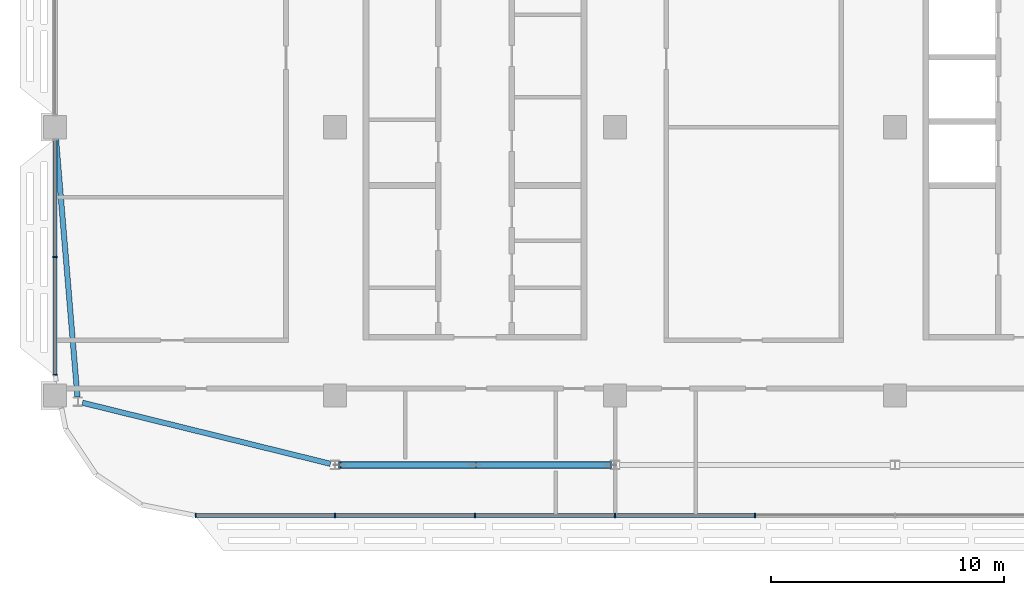
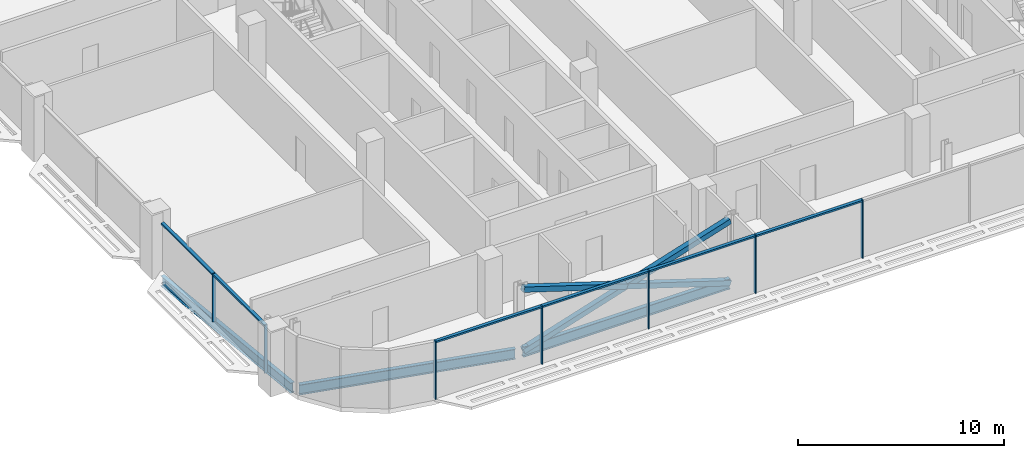
# One storey, part 5 of 32: 16 members, 3 beams, 2 elements without a shape of their own.
"""IFC4 building model written with IfcOpenShell, lengths in metres."""

from ifc_helpers import new_model, si_unit, direction, frame, origin, origin_2d, place, context, subcontext, project, spatial, rectangle, hollow_rectangle, i_section, extrude, material, material_profile, profile_set, type_object, element, aggregate, save


model = new_model("IFC4")

# Units and contexts
model_context = context("Model", 3, precision=1e-05, world=origin(), true_north=direction((0.0, 1.0)))
body_context = subcontext(model_context, "Body", "Model", "MODEL_VIEW")
ifc_project = project(units=[si_unit("LENGTHUNIT", "METRE"), si_unit("AREAUNIT", "SQUARE_METRE"), si_unit("VOLUMEUNIT", "CUBIC_METRE"), si_unit("PLANEANGLEUNIT", "RADIAN"), si_unit("MASSUNIT", "GRAM", prefix="KILO")], contexts=[model_context])

# Site, building, storey
site_placement = place(None, origin())
site = spatial("IfcSite", under=ifc_project, at=site_placement, CompositionType="ELEMENT")
building_placement = place(site_placement, origin())
building = spatial("IfcBuilding", under=site, at=building_placement, Name="Mahtab Terrace Research Tower", CompositionType="ELEMENT")
storey_placement = place(building_placement, frame((0.0, 0.0, 232.39990234375)))
storey = spatial("IfcBuildingStorey", under=building, at=storey_placement, Name="L56", CompositionType="ELEMENT", Elevation=232.39990234375)

# Members
ifc_material_1 = material(Name="Steel ASTM A500 Gr C", Category="steel")
ifc_material_profile_1 = material_profile(ifc_material_1, hollow_rectangle(XDim=0.3046875, YDim=0.3046875, WallThickness=0.015869140625, at=origin_2d()), Name="HSS12X12X5/8")
ifc_profile_set_1 = profile_set([ifc_material_profile_1], Name="Steel ASTM A500 Gr C")
member_type_1 = type_object("IfcMemberType", Name="HSS 12x12x5/8 brace XB121258", PredefinedType="BRACE", material=ifc_profile_set_1)
member_1_placement = place(storey_placement, frame((-29.800537109375, -14.472900390625, -0.580322265625), z_axis=(0.953338568311, 0.0, 0.301903252998), x_axis=(0.0, 1.0, 0.0)))
element("IfcMember", 1, at=member_1_placement, inside=storey, type_object=member_type_1, Name="Exoskeleton brace L56 13 a", PredefinedType="BRACE", context=body_context, shape_type="SweptSolid", body=[
    extrude(hollow_rectangle(XDim=0.3046875, YDim=0.3046875, WallThickness=0.015869140625, at=origin_2d()), origin(), (0.0, 0.0, 1.0), 12.1689453125),
])
for number, where, z_axis, x_axis, name in (
    (2, (-18.199462890625, -14.472900390625, -0.580322265625), (-0.953338568311, 0.0, 0.301903252998), (0.0, -1.0, 0.0), "Exoskeleton brace L56 13 b1"),
    (3, (-24.0, -14.472900390625, 1.256591796875), (-0.953338568311, 0.0, 0.301903252998), (0.0, -1.0, 0.0), "Exoskeleton brace L56 13 b2"),
):
    element("IfcMember", number, at=place(storey_placement, frame(where, z_axis=z_axis, x_axis=x_axis)), inside=storey, type_object=member_type_1, Name=name, PredefinedType="BRACE", context=body_context, shape_type="SweptSolid", body=[
        extrude(hollow_rectangle(XDim=0.3046875, YDim=0.3046875, WallThickness=0.015869140625, at=origin_2d()), origin(), (0.0, 0.0, 1.0), 6.08447265625),
    ])

# Curtain wall, members
ifc_material_2 = material(Name="Office ribbon curtain wall")
curtain_wall_type = type_object("IfcCurtainWallType", Name="Office ribbon curtain wall", PredefinedType="NOTDEFINED", material=ifc_material_2)
curtain_wall_1_placement = place(storey_placement, origin())
curtain_wall_1 = element("IfcCurtainWall", 4, at=curtain_wall_1_placement, inside=storey, type_object=curtain_wall_type, Name="EN.L56.8.10", PredefinedType="NOTDEFINED")
ifc_material_3 = material(Name="Natural anodised aluminium", Category="aluminium")
ifc_material_profile_2 = material_profile(ifc_material_3, rectangle(XDim=0.179931640625, YDim=0.06005859375, at=origin_2d()), Name="MULLION 60x180")
ifc_profile_set_2 = profile_set([ifc_material_profile_2], Name="Natural anodised aluminium")
member_type_2 = type_object("IfcMemberType", Name="Office ribbon curtain wall mullion", PredefinedType="MULLION", material=ifc_profile_set_2)
member_2_placement = place(storey_placement, frame((-42.0, -5.569580078125, 0.0), z_axis=(0.0, 0.0, 1.0), x_axis=(1.0, 0.0, 0.0)))
member_2 = element("IfcMember", 5, at=member_2_placement, type_object=member_type_2, Name="CWO-7 mullion 2", PredefinedType="MULLION", context=body_context, shape_type="SweptSolid", body=[
    extrude(rectangle(XDim=0.179931640625, YDim=0.06005859375, at=origin_2d()), origin(), (0.0, 0.0, 1.0), 2.85302734375),
])
member_3_placement = place(storey_placement, frame((-42.0, -10.60888671875, 0.0), z_axis=(0.0, 0.0, 1.0), x_axis=(1.0, 0.0, 0.0)))
member_3 = element("IfcMember", 6, at=member_3_placement, type_object=member_type_2, Name="CWO-7 mullion 3", PredefinedType="MULLION", context=body_context, shape_type="SweptSolid", body=[
    extrude(rectangle(XDim=0.179931640625, YDim=0.06005859375, at=origin_2d()), origin(), (0.0, 0.0, 1.0), 2.85302734375),
])

curtain_wall_2_placement = place(storey_placement, origin())
curtain_wall_2 = element("IfcCurtainWall", 7, at=curtain_wall_2_placement, inside=storey, type_object=curtain_wall_type, Name="EN.L56.13.16", PredefinedType="NOTDEFINED")
member_4_placement = place(storey_placement, frame((-35.969970703125, -16.638916015625, 0.0), z_axis=(0.0, 0.0, 1.0), x_axis=(0.0, 1.0, 0.0)))
member_4 = element("IfcMember", 8, at=member_4_placement, type_object=member_type_2, Name="CWO-7 mullion 1", PredefinedType="MULLION", context=body_context, shape_type="SweptSolid", body=[
    extrude(rectangle(XDim=0.179931640625, YDim=0.06005859375, at=origin_2d()), origin(), (0.0, 0.0, 1.0), 3.460205078125),
])
member_5_placement = place(storey_placement, frame((-30.0, -16.638916015625, 0.0), z_axis=(0.0, 0.0, 1.0), x_axis=(0.0, 1.0, 0.0)))
member_5 = element("IfcMember", 9, at=member_5_placement, type_object=member_type_2, Name="CWO-7 mullion 2", PredefinedType="MULLION", context=body_context, shape_type="SweptSolid", body=[
    extrude(rectangle(XDim=0.179931640625, YDim=0.06005859375, at=origin_2d()), origin(), (0.0, 0.0, 1.0), 3.460205078125),
])
member_6_placement = place(storey_placement, frame((-24.0, -16.638916015625, 0.0), z_axis=(0.0, 0.0, 1.0), x_axis=(0.0, 1.0, 0.0)))
member_6 = element("IfcMember", 10, at=member_6_placement, type_object=member_type_2, Name="CWO-7 mullion 3", PredefinedType="MULLION", context=body_context, shape_type="SweptSolid", body=[
    extrude(rectangle(XDim=0.179931640625, YDim=0.06005859375, at=origin_2d()), origin(), (0.0, 0.0, 1.0), 3.460205078125),
])
member_7_placement = place(storey_placement, frame((-18.0, -16.638916015625, 0.0), z_axis=(0.0, 0.0, 1.0), x_axis=(0.0, 1.0, 0.0)))
member_7 = element("IfcMember", 11, at=member_7_placement, type_object=member_type_2, Name="CWO-7 mullion 4", PredefinedType="MULLION", context=body_context, shape_type="SweptSolid", body=[
    extrude(rectangle(XDim=0.179931640625, YDim=0.06005859375, at=origin_2d()), origin(), (0.0, 0.0, 1.0), 3.460205078125),
])
member_8_placement = place(storey_placement, frame((-12.0, -16.638916015625, 0.0), z_axis=(0.0, 0.0, 1.0), x_axis=(0.0, 1.0, 0.0)))
member_8 = element("IfcMember", 12, at=member_8_placement, type_object=member_type_2, Name="CWO-7 mullion 5", PredefinedType="MULLION", context=body_context, shape_type="SweptSolid", body=[
    extrude(rectangle(XDim=0.179931640625, YDim=0.06005859375, at=origin_2d()), origin(), (0.0, 0.0, 1.0), 3.460205078125),
])

# Member
ifc_material_profile_3 = material_profile(ifc_material_3, rectangle(XDim=0.179931640625, YDim=0.10009765625, at=origin_2d()), Name="TRANSOM 100x180")
ifc_profile_set_3 = profile_set([ifc_material_profile_3], Name="Natural anodised aluminium")
member_type_3 = type_object("IfcMemberType", Name="Office ribbon curtain wall transom", PredefinedType="USERDEFINED", material=ifc_profile_set_3)
member_9_placement = place(storey_placement, frame((-42.0, -0.56005859375, 2.802978515625), z_axis=(0.0, -1.0, 0.0), x_axis=(1.0, 0.0, 0.0)))
member_9 = element("IfcMember", 13, at=member_9_placement, type_object=member_type_3, Name="CWO-7 transom 1", ObjectType="TRANSOM", PredefinedType="USERDEFINED", context=body_context, shape_type="SweptSolid", body=[
    extrude(rectangle(XDim=0.179931640625, YDim=0.10009765625, at=origin_2d()), origin(), (0.0, 0.0, 1.0), 4.9794921875),
])

member_10_placement = place(storey_placement, frame((-42.0, -5.599609375, 2.802978515625), z_axis=(0.0, -1.0, 0.0), x_axis=(1.0, 0.0, 0.0)))
member_10 = element("IfcMember", 14, at=member_10_placement, type_object=member_type_3, Name="CWO-7 transom 2", ObjectType="TRANSOM", PredefinedType="USERDEFINED", context=body_context, shape_type="SweptSolid", body=[
    extrude(rectangle(XDim=0.179931640625, YDim=0.10009765625, at=origin_2d()), origin(), (0.0, 0.0, 1.0), 4.9794921875),
])

aggregate(curtain_wall_1, [member_2, member_3, member_9, member_10])

member_11_placement = place(storey_placement, frame((-35.93994140625, -16.638916015625, 3.41015625), z_axis=(1.0, 0.0, 0.0), x_axis=(0.0, 1.0, 0.0)))
member_11 = element("IfcMember", 15, at=member_11_placement, type_object=member_type_3, Name="CWO-7 transom 1", ObjectType="TRANSOM", PredefinedType="USERDEFINED", context=body_context, shape_type="SweptSolid", body=[
    extrude(rectangle(XDim=0.179931640625, YDim=0.10009765625, at=origin_2d()), origin(), (0.0, 0.0, 1.0), 5.909912109375),
])

member_12_placement = place(storey_placement, frame((-29.969970703125, -16.638916015625, 3.41015625), z_axis=(1.0, 0.0, 0.0), x_axis=(0.0, 1.0, 0.0)))
member_12 = element("IfcMember", 16, at=member_12_placement, type_object=member_type_3, Name="CWO-7 transom 2", ObjectType="TRANSOM", PredefinedType="USERDEFINED", context=body_context, shape_type="SweptSolid", body=[
    extrude(rectangle(XDim=0.179931640625, YDim=0.10009765625, at=origin_2d()), origin(), (0.0, 0.0, 1.0), 5.93994140625),
])

member_13_placement = place(storey_placement, frame((-23.969970703125, -16.638916015625, 3.41015625), z_axis=(1.0, 0.0, 0.0), x_axis=(0.0, 1.0, 0.0)))
member_13 = element("IfcMember", 17, at=member_13_placement, type_object=member_type_3, Name="CWO-7 transom 3", ObjectType="TRANSOM", PredefinedType="USERDEFINED", context=body_context, shape_type="SweptSolid", body=[
    extrude(rectangle(XDim=0.179931640625, YDim=0.10009765625, at=origin_2d()), origin(), (0.0, 0.0, 1.0), 5.93994140625),
])

member_14_placement = place(storey_placement, frame((-17.969970703125, -16.638916015625, 3.41015625), z_axis=(1.0, 0.0, 0.0), x_axis=(0.0, 1.0, 0.0)))
member_14 = element("IfcMember", 18, at=member_14_placement, type_object=member_type_3, Name="CWO-7 transom 4", ObjectType="TRANSOM", PredefinedType="USERDEFINED", context=body_context, shape_type="SweptSolid", body=[
    extrude(rectangle(XDim=0.179931640625, YDim=0.10009765625, at=origin_2d()), origin(), (0.0, 0.0, 1.0), 5.93994140625),
])

aggregate(curtain_wall_2, [member_4, member_5, member_6, member_7, member_8, member_11, member_12, member_13, member_14])

# Beams
ifc_material_4 = material(Name="Steel ASTM A992 Gr 50", Category="steel")
ifc_material_profile_4 = material_profile(ifc_material_4, i_section(OverallWidth=0.228271484375, OverallDepth=0.607177734375, WebThickness=0.01123046875, FlangeThickness=0.017333984375, at=origin_2d()), Name="W24X76")
ifc_profile_set_4 = profile_set([ifc_material_profile_4], Name="Steel ASTM A992 Gr 50")
beam_type = type_object("IfcBeamType", Name="W24x76 beam BS2476", PredefinedType="BEAM", material=ifc_profile_set_4)
beam_1_placement = place(storey_placement, frame((-41.958251953125, -0.5, -0.6435546875), z_axis=(0.082961772462, -0.996552730321, 0.0), x_axis=(0.996552730321, 0.082961772462, 0.0)))
element("IfcBeam", 19, at=beam_1_placement, inside=storey, type_object=beam_type, Name="Spandrel beam L56 11", PredefinedType="BEAM", context=body_context, shape_type="SweptSolid", body=[
    extrude(i_section(OverallWidth=0.228271484375, OverallDepth=0.607177734375, WebThickness=0.01123046875, FlangeThickness=0.017333984375, at=origin_2d()), origin(), (0.0, 0.0, 1.0), 11.103271484375),
])
beam_2_placement = place(storey_placement, frame((-40.821533203125, -11.80712890625, -0.6435546875), z_axis=(0.970971673225, -0.239194502014, 0.0), x_axis=(0.239194502014, 0.970971673225, 0.0)))
element("IfcBeam", 20, at=beam_2_placement, inside=storey, type_object=beam_type, Name="Spandrel beam L56 12", PredefinedType="BEAM", context=body_context, shape_type="SweptSolid", body=[
    extrude(i_section(OverallWidth=0.228271484375, OverallDepth=0.607177734375, WebThickness=0.01123046875, FlangeThickness=0.017333984375, at=origin_2d()), origin(), (0.0, 0.0, 1.0), 10.939697265625),
])
beam_3_placement = place(storey_placement, frame((-29.800537109375, -14.472900390625, -0.6435546875), z_axis=(1.0, 0.0, 0.0), x_axis=(0.0, 1.0, 0.0)))
element("IfcBeam", 21, at=beam_3_placement, inside=storey, type_object=beam_type, Name="Spandrel beam L56 13", PredefinedType="BEAM", context=body_context, shape_type="SweptSolid", body=[
    extrude(i_section(OverallWidth=0.228271484375, OverallDepth=0.607177734375, WebThickness=0.01123046875, FlangeThickness=0.017333984375, at=origin_2d()), origin(), (0.0, 0.0, 1.0), 11.60107421875),
])

save(model, "model.ifc")
